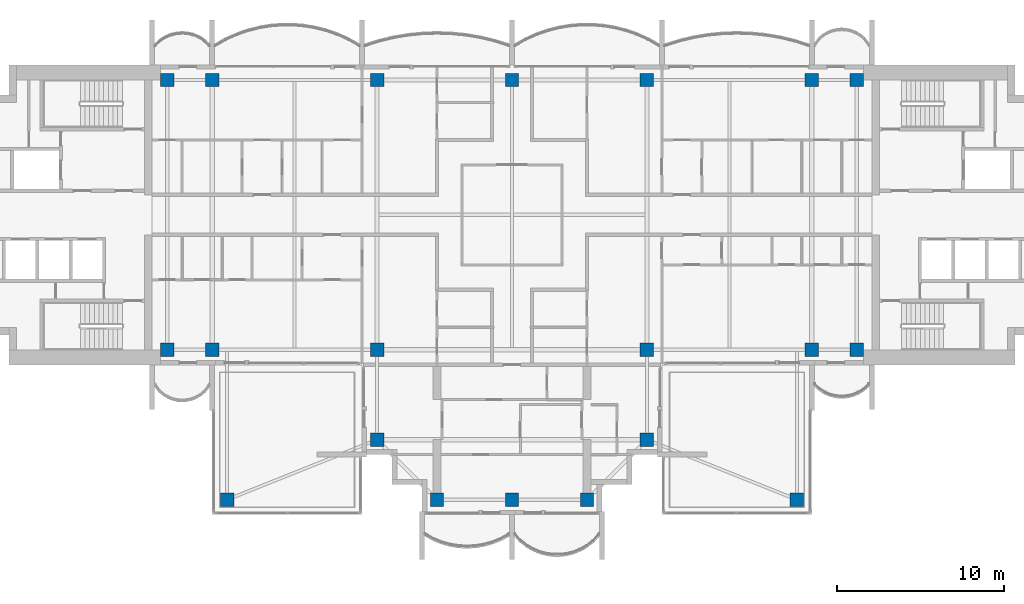
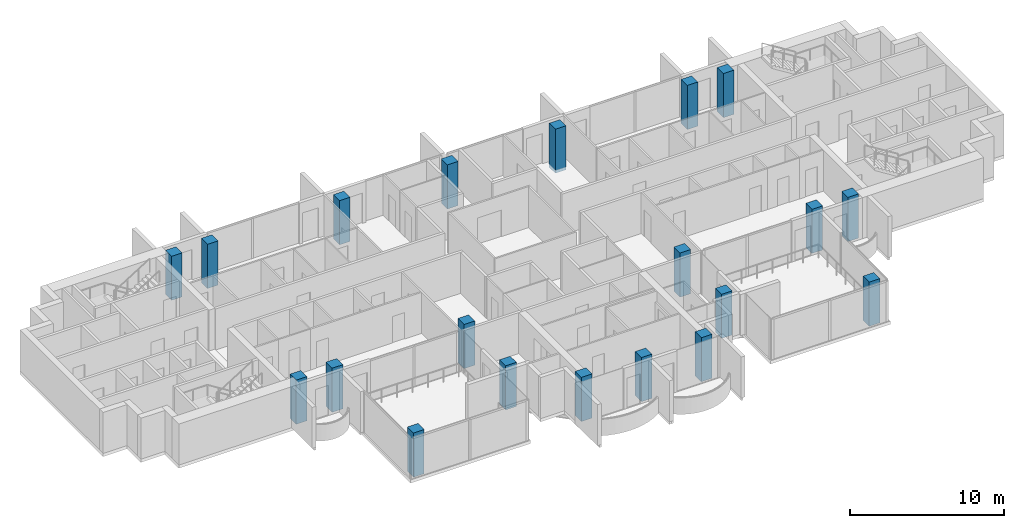
# One storey, part 1 of 16: 20 columns.
"""IFC4 building model written with IfcOpenShell, lengths in metres."""

from ifc_helpers import new_model, si_unit, direction, frame, origin, origin_2d, place, context, subcontext, project, spatial, rectangle, extrude, material, material_profile, profile_set, type_object, element, save


model = new_model("IFC4")

# Units and contexts
model_context = context("Model", 3, precision=1e-05, world=origin(), true_north=direction((0.0, 1.0)))
body_context = subcontext(model_context, "Body", "Model", "MODEL_VIEW")
ifc_project = project(units=[si_unit("LENGTHUNIT", "METRE"), si_unit("AREAUNIT", "SQUARE_METRE"), si_unit("VOLUMEUNIT", "CUBIC_METRE"), si_unit("PLANEANGLEUNIT", "RADIAN"), si_unit("MASSUNIT", "GRAM", prefix="KILO")], contexts=[model_context])

# Site, building, storey
site_placement = place(None, origin())
site = spatial("IfcSite", under=ifc_project, at=site_placement, CompositionType="ELEMENT")
building_placement = place(site_placement, origin())
building = spatial("IfcBuilding", under=site, at=building_placement, Name="Perihelion Cross Residences", CompositionType="ELEMENT")
storey_placement = place(building_placement, frame((0.0, 0.0, 236.0)))
storey = spatial("IfcBuildingStorey", under=building, at=storey_placement, Name="L59", CompositionType="ELEMENT", Elevation=236.0)

# Columns
ifc_material = material(Name="Concrete C50/60", Category="concrete")
ifc_material_profile = material_profile(ifc_material, rectangle(XDim=0.800048828125, YDim=0.800048828125, at=origin_2d()), Name="RC 800x800")
ifc_profile_set = profile_set([ifc_material_profile], Name="Concrete C50/60")
column_type = type_object("IfcColumnType", Name="Reinforced concrete column 800x800 C50/60", PredefinedType="COLUMN", material=ifc_profile_set)
for number, where, z_axis, x_axis, name in (
    (1, (-20.699951171875, -8.10009765625, -0.25), (0.0, 0.0, 1.0), (1.0, 0.0, 0.0), "Column C017 L59 no. 1"),
    (2, (-20.699951171875, 8.10009765625, -0.25), (0.0, 0.0, 1.0), (1.0, 0.0, 0.0), "Column C010 L59 no. 1"),
    (3, (-18.0, -8.10009765625, -0.25), (0.0, 0.0, 1.0), (1.0, 0.0, 0.0), "Column C018 L59 no. 1"),
    (4, (-18.0, 8.10009765625, -0.25), (0.0, 0.0, 1.0), (1.0, 0.0, 0.0), "Column C011 L59 no. 1"),
    (5, (-8.10009765625, -13.5, -0.25), (0.0, 0.0, 1.0), (1.0, 0.0, 0.0), "Column C025 L59 no. 1"),
    (6, (-8.10009765625, -8.10009765625, -0.25), (0.0, 0.0, 1.0), (1.0, 0.0, 0.0), "Column C019 L59 no. 1"),
    (7, (-8.10009765625, 8.10009765625, -0.25), (0.0, 0.0, 1.0), (1.0, 0.0, 0.0), "Column C012 L59 no. 1"),
    (8, (-4.5, -17.10009765625, -0.25), (0.0, 0.0, 1.0), (1.0, 0.0, 0.0), "Column C032 L59 no. 1"),
    (9, (0.0, -17.10009765625, -0.25), (0.0, 0.0, 1.0), (1.0, 0.0, 0.0), "Column C033 L59 no. 1"),
    (10, (0.0, 8.10009765625, -0.25), (0.0, 0.0, 1.0), (1.0, 0.0, 0.0), "Column C013 L59 no. 1"),
    (11, (4.5, -17.10009765625, -0.25), (0.0, 0.0, 1.0), (1.0, 0.0, 0.0), "Column C034 L59 no. 1"),
    (12, (8.10009765625, -13.5, -0.25), (0.0, 0.0, 1.0), (1.0, 0.0, 0.0), "Column C029 L59 no. 1"),
    (13, (8.10009765625, -8.10009765625, -0.25), (0.0, 0.0, 1.0), (1.0, 0.0, 0.0), "Column C020 L59 no. 1"),
    (14, (8.10009765625, 8.10009765625, -0.25), (0.0, 0.0, 1.0), (1.0, 0.0, 0.0), "Column C014 L59 no. 1"),
    (15, (18.0, -8.10009765625, -0.25), (0.0, 0.0, 1.0), (1.0, 0.0, 0.0), "Column C021 L59 no. 1"),
    (16, (18.0, 8.10009765625, -0.25), (0.0, 0.0, 1.0), (1.0, 0.0, 0.0), "Column C015 L59 no. 1"),
    (17, (20.699951171875, -8.10009765625, -0.25), (0.0, 0.0, 1.0), (1.0, 0.0, 0.0), "Column C022 L59 no. 1"),
    (18, (20.699951171875, 8.10009765625, -0.25), (0.0, 0.0, 1.0), (1.0, 0.0, 0.0), "Column C016 L59 no. 1"),
    (19, (-17.10009765625, -17.10009765625, -0.25), (0.0, 0.0, 1.0), (1.0, 0.0, 0.0), "Column C030 L59 no. 1"),
    (20, (17.10009765625, -17.10009765625, -0.25), (0.0, 0.0, 1.0), (1.0, 0.0, 0.0), "Column C036 L59 no. 1"),
):
    element("IfcColumn", number, at=place(storey_placement, frame(where, z_axis=z_axis, x_axis=x_axis)), inside=storey, type_object=column_type, Name=name, PredefinedType="COLUMN", context=body_context, shape_type="SweptSolid", body=[
        extrude(rectangle(XDim=0.800048828125, YDim=0.800048828125, at=origin_2d()), origin(), (0.0, 0.0, 1.0), 3.5),
    ])

save(model, "model.ifc")
